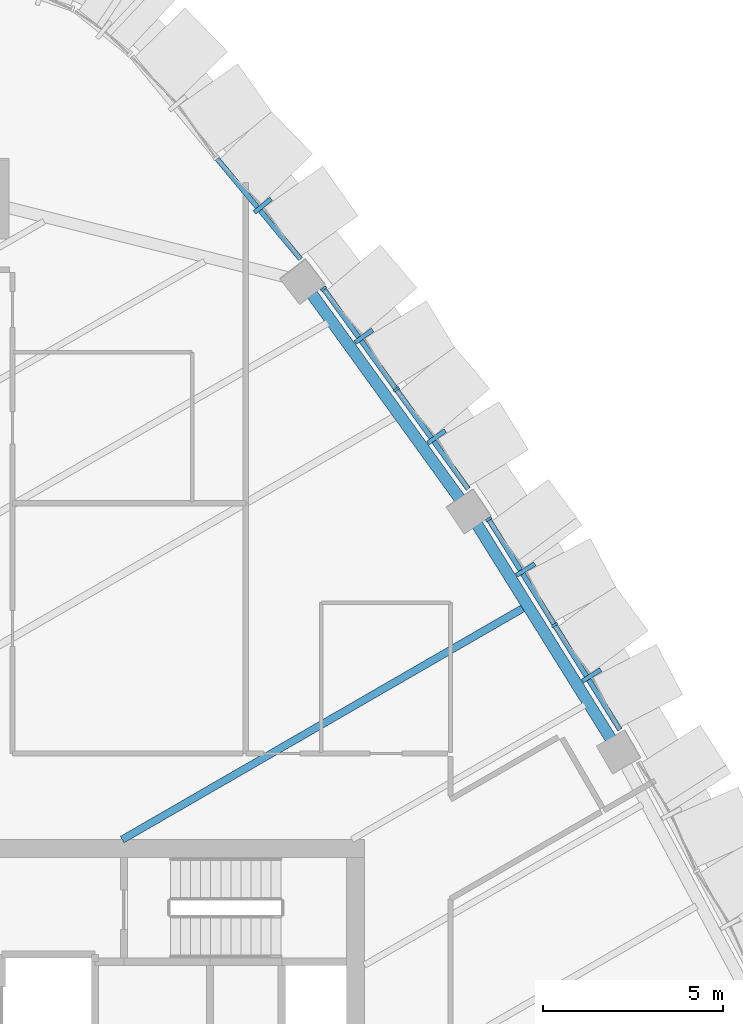
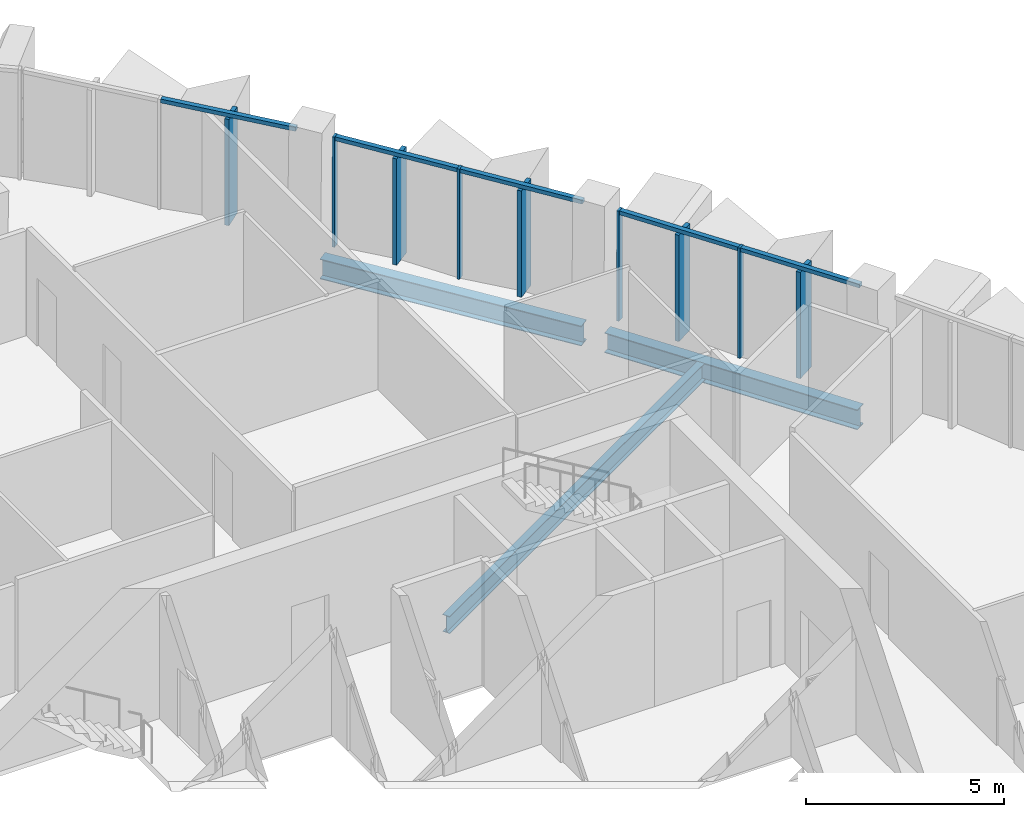
# One storey, part 7 of 22: 14 members, 3 beams, 3 elements without a shape of their own.
"""IFC4 building model written with IfcOpenShell, lengths in metres."""

from ifc_helpers import new_model, si_unit, direction, frame, origin, origin_2d, place, context, subcontext, project, spatial, rectangle, i_section, extrude, material, layer, layer_set, material_profile, profile_set, type_object, element, aggregate, save


model = new_model("IFC4")

# Units and contexts
model_context = context("Model", 3, precision=1e-05, world=origin(), true_north=direction((0.0, 1.0)))
body_context = subcontext(model_context, "Body", "Model", "MODEL_VIEW")
ifc_project = project(units=[si_unit("LENGTHUNIT", "METRE"), si_unit("AREAUNIT", "SQUARE_METRE"), si_unit("VOLUMEUNIT", "CUBIC_METRE"), si_unit("PLANEANGLEUNIT", "RADIAN"), si_unit("MASSUNIT", "GRAM", prefix="KILO")], contexts=[model_context])

# Site, building, storey
site_placement = place(None, origin())
site = spatial("IfcSite", under=ifc_project, at=site_placement, CompositionType="ELEMENT")
building_placement = place(site_placement, origin())
building = spatial("IfcBuilding", under=site, at=building_placement, Name="Sierra Prisma Convention Tower", CompositionType="ELEMENT")
storey_placement = place(building_placement, frame((0.0, 0.0, 227.0)))
storey = spatial("IfcBuildingStorey", under=building, at=storey_placement, Name="L50", CompositionType="ELEMENT", Elevation=227.0)

# Curtain wall, members
ifc_material_1 = material(Name="Aluminium and glass curtain wall", Category="aluminium")
ifc_layer = layer(ifc_material_1, 0.179931640625)
ifc_layer_set = layer_set([ifc_layer], Name="CW-2 Faceted crystal curtain wall")
curtain_wall_type = type_object("IfcCurtainWallType", Name="CW-2 Faceted crystal curtain wall", PredefinedType="NOTDEFINED", material=ifc_layer_set)
curtain_wall_1_placement = place(storey_placement, origin())
curtain_wall_1 = element("IfcCurtainWall", 1, at=curtain_wall_1_placement, inside=storey, type_object=curtain_wall_type, Name="CW-2 NE4 L50", PredefinedType="NOTDEFINED")
ifc_material_2 = material(Name="Aluminium 6063-T6 bronze anodised", Category="aluminium")
ifc_material_profile_1 = material_profile(ifc_material_2, rectangle(XDim=0.1201171875, YDim=0.60009765625, at=origin_2d()), Name="ALU RIDGE BLADE 120x600")
ifc_profile_set_1 = profile_set([ifc_material_profile_1], Name="Aluminium 6063-T6 bronze anodised")
member_type_1 = type_object("IfcMemberType", Name="CW hip bronze", PredefinedType="MULLION", material=ifc_profile_set_1)
member_1_placement = place(storey_placement, frame((17.331298828125, 12.574951171875, 0.0), z_axis=(0.0, 0.0, 1.0), x_axis=(-0.52919070132, 0.848502917872, 0.0)))
member_1 = element("IfcMember", 2, at=member_1_placement, type_object=member_type_1, Name="CW-2 ridge NE4.1", PredefinedType="MULLION", context=body_context, shape_type="SweptSolid", body=[
    extrude(rectangle(XDim=0.1201171875, YDim=0.60009765625, at=origin_2d()), origin(), (0.0, 0.0, 1.0), 3.280029296875),
])
member_2_placement = place(storey_placement, frame((15.493408203125, 15.521728515625, 0.0), z_axis=(0.0, 0.0, 1.0), x_axis=(-0.52919070132, 0.848502917872, 0.0)))
member_2 = element("IfcMember", 3, at=member_2_placement, type_object=member_type_1, Name="CW-2 ridge NE4.2", PredefinedType="MULLION", context=body_context, shape_type="SweptSolid", body=[
    extrude(rectangle(XDim=0.1201171875, YDim=0.60009765625, at=origin_2d()), origin(), (0.0, 0.0, 1.0), 3.280029296875),
])

curtain_wall_2_placement = place(storey_placement, origin())
curtain_wall_2 = element("IfcCurtainWall", 4, at=curtain_wall_2_placement, inside=storey, type_object=curtain_wall_type, Name="CW-2 NE5 L50", PredefinedType="NOTDEFINED")
member_3_placement = place(storey_placement, frame((13.00927734375, 19.218505859375, 0.0), z_axis=(0.0, 0.0, 1.0), x_axis=(-0.58569876934, 0.810528809848, 0.0)))
member_3 = element("IfcMember", 5, at=member_3_placement, type_object=member_type_1, Name="CW-2 ridge NE5.1", PredefinedType="MULLION", context=body_context, shape_type="SweptSolid", body=[
    extrude(rectangle(XDim=0.1201171875, YDim=0.60009765625, at=origin_2d()), origin(), (0.0, 0.0, 1.0), 3.280029296875),
])
member_4_placement = place(storey_placement, frame((10.984130859375, 22.02099609375, 0.0), z_axis=(0.0, 0.0, 1.0), x_axis=(-0.58569876934, 0.810528809848, 0.0)))
member_4 = element("IfcMember", 6, at=member_4_placement, type_object=member_type_1, Name="CW-2 ridge NE5.2", PredefinedType="MULLION", context=body_context, shape_type="SweptSolid", body=[
    extrude(rectangle(XDim=0.1201171875, YDim=0.60009765625, at=origin_2d()), origin(), (0.0, 0.0, 1.0), 3.280029296875),
])

# Curtain wall, member
curtain_wall_3_placement = place(storey_placement, origin())
curtain_wall_3 = element("IfcCurtainWall", 7, at=curtain_wall_3_placement, inside=storey, type_object=curtain_wall_type, Name="CW-2 NE6 L50", PredefinedType="NOTDEFINED")
member_5_placement = place(storey_placement, frame((8.170166015625, 25.65966796875, 0.0), z_axis=(0.0, 0.0, 1.0), x_axis=(-0.639492009569, 0.768797743036, 0.0)))
member_5 = element("IfcMember", 8, at=member_5_placement, type_object=member_type_1, Name="CW-2 ridge NE6.1", PredefinedType="MULLION", context=body_context, shape_type="SweptSolid", body=[
    extrude(rectangle(XDim=0.1201171875, YDim=0.60009765625, at=origin_2d()), origin(), (0.0, 0.0, 1.0), 3.280029296875),
])

# Member
ifc_material_3 = material(Name="Aluminium 6063-T6 bronze anodised", Category="aluminium")
ifc_material_profile_2 = material_profile(ifc_material_3, rectangle(XDim=0.179931640625, YDim=0.070068359375, at=origin_2d()), Name="ALU MULLION 70x180")
ifc_profile_set_2 = profile_set([ifc_material_profile_2], Name="Aluminium 6063-T6 bronze anodised")
member_type_2 = type_object("IfcMemberType", Name="CW mullion bronze", PredefinedType="MULLION", material=ifc_profile_set_2)
member_6_placement = place(storey_placement, frame((16.298583984375, 13.9775390625, 0.0), z_axis=(0.0, 0.0, 1.0), x_axis=(-0.848502917872, -0.52919070132, 0.0)))
member_6 = element("IfcMember", 9, at=member_6_placement, type_object=member_type_2, Name="CW-1 mullion NE4.2", PredefinedType="MULLION", context=body_context, shape_type="SweptSolid", body=[
    extrude(rectangle(XDim=0.179931640625, YDim=0.070068359375, at=origin_2d()), origin(), (0.0, 0.0, 1.0), 3.39990234375),
])

member_7_placement = place(storey_placement, frame((14.4609375, 16.92431640625, 0.0), z_axis=(0.0, 0.0, 1.0), x_axis=(-0.848502917872, -0.52919070132, 0.0)))
member_7 = element("IfcMember", 10, at=member_7_placement, type_object=member_type_2, Name="CW-1 mullion NE4.3", PredefinedType="MULLION", context=body_context, shape_type="SweptSolid", body=[
    extrude(rectangle(XDim=0.179931640625, YDim=0.070068359375, at=origin_2d()), origin(), (0.0, 0.0, 1.0), 3.39990234375),
])

member_8_placement = place(storey_placement, frame((11.888671875, 20.541748046875, 0.0), z_axis=(0.0, 0.0, 1.0), x_axis=(-0.810528809848, -0.58569876934, 0.0)))
member_8 = element("IfcMember", 11, at=member_8_placement, type_object=member_type_2, Name="CW-1 mullion NE5.2", PredefinedType="MULLION", context=body_context, shape_type="SweptSolid", body=[
    extrude(rectangle(XDim=0.179931640625, YDim=0.070068359375, at=origin_2d()), origin(), (0.0, 0.0, 1.0), 3.39990234375),
])

member_9_placement = place(storey_placement, frame((9.863525390625, 23.34423828125, 0.0), z_axis=(0.0, 0.0, 1.0), x_axis=(-0.810528809848, -0.58569876934, 0.0)))
member_9 = element("IfcMember", 12, at=member_9_placement, type_object=member_type_2, Name="CW-1 mullion NE5.3", PredefinedType="MULLION", context=body_context, shape_type="SweptSolid", body=[
    extrude(rectangle(XDim=0.179931640625, YDim=0.070068359375, at=origin_2d()), origin(), (0.0, 0.0, 1.0), 3.39990234375),
])

ifc_material_4 = material(Name="Aluminium 6063-T6 bronze anodised", Category="aluminium")
ifc_material_profile_3 = material_profile(ifc_material_4, rectangle(XDim=0.139892578125, YDim=0.1201171875, at=origin_2d()), Name="ALU TRANSOM 120x140")
ifc_profile_set_3 = profile_set([ifc_material_profile_3], Name="Aluminium 6063-T6 bronze anodised")
member_type_3 = type_object("IfcMemberType", Name="CW transom bronze", PredefinedType="USERDEFINED", material=ifc_profile_set_3)
member_10_placement = place(storey_placement, frame((18.117919921875, 11.060546875, 3.340087890625), z_axis=(-0.529211904338, 0.848489693695, 0.0), x_axis=(-0.848489693695, -0.529211904338, 0.0)))
member_10 = element("IfcMember", 13, at=member_10_placement, type_object=member_type_3, Name="CW-1 transom NE4.1", ObjectType="TRANSOM", PredefinedType="USERDEFINED", context=body_context, shape_type="SweptSolid", body=[
    extrude(rectangle(XDim=0.139892578125, YDim=0.1201171875, at=origin_2d()), origin(), (0.0, 0.0, 1.0), 3.40283203125),
])

member_11_placement = place(storey_placement, frame((16.2802734375, 14.00732421875, 3.340087890625), z_axis=(-0.529211904338, 0.848489693695, 0.0), x_axis=(-0.848489693695, -0.529211904338, 0.0)))
member_11 = element("IfcMember", 14, at=member_11_placement, type_object=member_type_3, Name="CW-1 transom NE4.2", ObjectType="TRANSOM", PredefinedType="USERDEFINED", context=body_context, shape_type="SweptSolid", body=[
    extrude(rectangle(XDim=0.139892578125, YDim=0.1201171875, at=origin_2d()), origin(), (0.0, 0.0, 1.0), 3.40283203125),
])

aggregate(curtain_wall_1, [member_6, member_7, member_10, member_1, member_11, member_2])

member_12_placement = place(storey_placement, frame((13.893310546875, 17.767578125, 3.340087890625), z_axis=(-0.585722093192, 0.810511955215, 0.0), x_axis=(-0.810511955215, -0.585722093192, 0.0)))
member_12 = element("IfcMember", 15, at=member_12_placement, type_object=member_type_3, Name="CW-1 transom NE5.1", ObjectType="TRANSOM", PredefinedType="USERDEFINED", context=body_context, shape_type="SweptSolid", body=[
    extrude(rectangle(XDim=0.139892578125, YDim=0.1201171875, at=origin_2d()), origin(), (0.0, 0.0, 1.0), 3.387451171875),
])

member_13_placement = place(storey_placement, frame((11.8681640625, 20.570068359375, 3.340087890625), z_axis=(-0.585687879997, 0.810536678519, 0.0), x_axis=(-0.810536678519, -0.585687879997, 0.0)))
member_13 = element("IfcMember", 16, at=member_13_placement, type_object=member_type_3, Name="CW-1 transom NE5.2", ObjectType="TRANSOM", PredefinedType="USERDEFINED", context=body_context, shape_type="SweptSolid", body=[
    extrude(rectangle(XDim=0.139892578125, YDim=0.1201171875, at=origin_2d()), origin(), (0.0, 0.0, 1.0), 3.3876953125),
])

aggregate(curtain_wall_2, [member_8, member_9, member_12, member_3, member_13, member_4])

member_14_placement = place(storey_placement, frame((9.221923828125, 24.17138671875, 3.340087890625), z_axis=(-0.639477022615, 0.768810209055, 0.0), x_axis=(-0.768810209055, -0.639477022615, 0.0)))
member_14 = element("IfcMember", 17, at=member_14_placement, type_object=member_type_3, Name="CW-1 transom NE6.1", ObjectType="TRANSOM", PredefinedType="USERDEFINED", context=body_context, shape_type="SweptSolid", body=[
    extrude(rectangle(XDim=0.139892578125, YDim=0.1201171875, at=origin_2d()), origin(), (0.0, 0.0, 1.0), 3.6337890625),
])

aggregate(curtain_wall_3, [member_14, member_5])

# Beams
ifc_material_5 = material(Name="Steel ASTM A992 Gr 50", Category="steel")
ifc_material_profile_4 = material_profile(ifc_material_5, i_section(OverallWidth=0.208984375, OverallDepth=0.532958984375, WebThickness=0.01025390625, FlangeThickness=0.015625, at=origin_2d()), Name="W530x92")
ifc_profile_set_4 = profile_set([ifc_material_profile_4], Name="Steel ASTM A992 Gr 50")
beam_type_1 = type_object("IfcBeamType", Name="Floor joist W530x92", PredefinedType="JOIST", material=ifc_profile_set_4)
beam_placement = place(storey_placement, frame((15.450439453125, 14.4638671875, -0.41650390625), z_axis=(-0.866026455764, -0.499998177914, 0.0), x_axis=(0.499998177914, -0.866026455764, 0.0)))
element("IfcBeam", 18, at=beam_placement, inside=storey, type_object=beam_type_1, Name="Floor joist L50 NE09", PredefinedType="JOIST", context=body_context, shape_type="SweptSolid", body=[
    extrude(i_section(OverallWidth=0.208984375, OverallDepth=0.532958984375, WebThickness=0.01025390625, FlangeThickness=0.015625, at=origin_2d()), origin(), (0.0, 0.0, 1.0), 12.927734375),
])
ifc_material_6 = material(Name="Steel ASTM A992 Gr 50", Category="steel")
ifc_material_profile_5 = material_profile(ifc_material_6, i_section(OverallWidth=0.324951171875, OverallDepth=0.615966796875, WebThickness=0.013916015625, FlangeThickness=0.021484375, at=origin_2d()), Name="W610x174")
ifc_profile_set_5 = profile_set([ifc_material_profile_5], Name="Steel ASTM A992 Gr 50")
beam_type_2 = type_object("IfcBeamType", Name="Spandrel beam W610x174", PredefinedType="BEAM", material=ifc_profile_set_5)
for number, where, z_axis, x_axis, name in (
    (19, (17.915283203125, 10.724609375, -0.4580078125), (-0.529204932033, 0.848494042355, 0.0), (-0.848494042355, -0.529204932033, 0.0), "Spandrel L50-10"),
    (20, (13.7138671875, 17.41845703125, -0.4580078125), (-0.585689894077, 0.810535223155, 0.0), (-0.810535223155, -0.585689894077, 0.0), "Spandrel L50-11"),
):
    element("IfcBeam", number, at=place(storey_placement, frame(where, z_axis=z_axis, x_axis=x_axis)), inside=storey, type_object=beam_type_2, Name=name, PredefinedType="BEAM", context=body_context, shape_type="SweptSolid", body=[
        extrude(i_section(OverallWidth=0.324951171875, OverallDepth=0.615966796875, WebThickness=0.013916015625, FlangeThickness=0.021484375, at=origin_2d()), origin(), (0.0, 0.0, 1.0), 7.243408203125),
    ])

save(model, "model.ifc")
